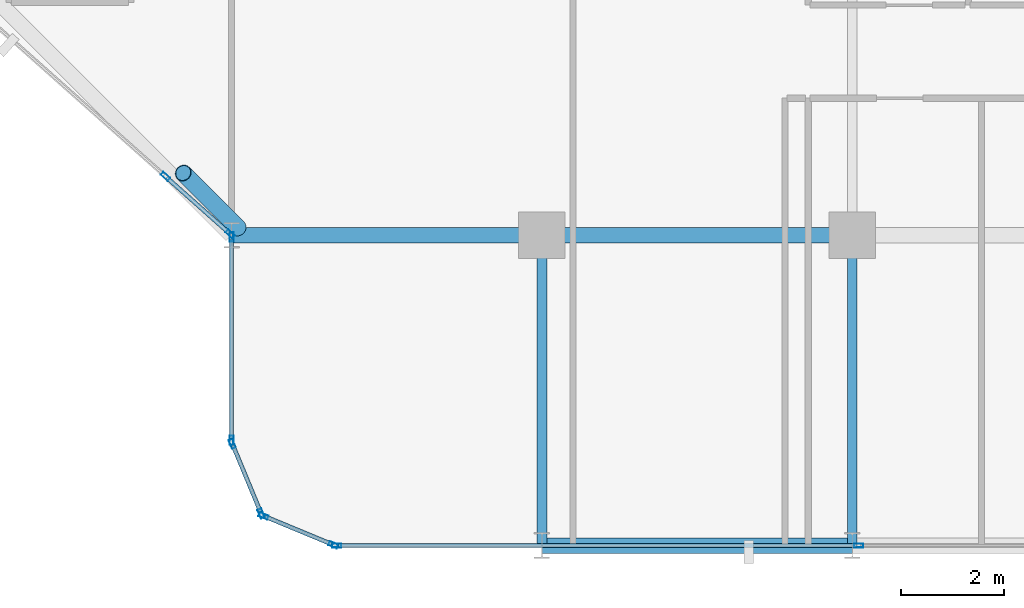
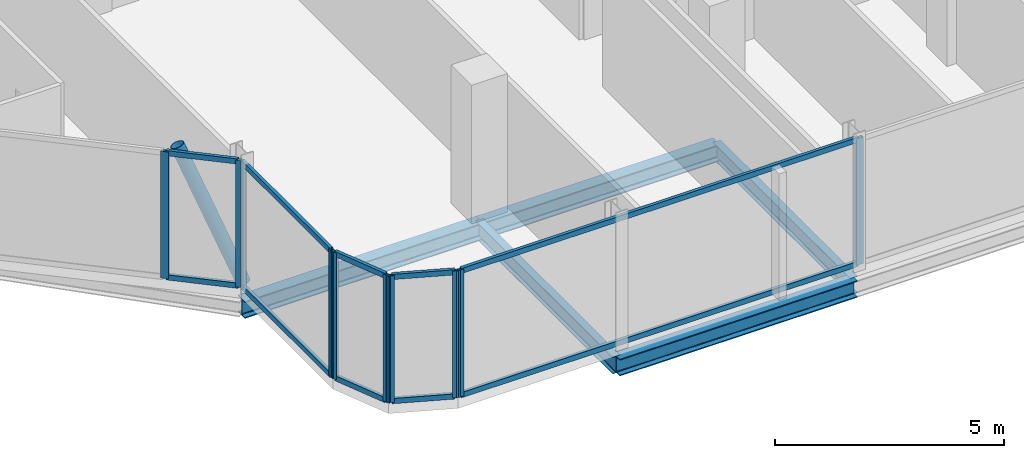
# One storey, part 5 of 31: 21 members, 5 beams, 5 elements without a shape of their own.
"""IFC4 building model written with IfcOpenShell, lengths in metres."""

from ifc_helpers import new_model, si_unit, direction, frame, origin, origin_2d, place, context, subcontext, project, spatial, hollow_rectangle, hollow_circle, i_section, extrude, material, layer, layer_set, material_profile, profile_set, type_object, element, aggregate, save


model = new_model("IFC4")

# Units and contexts
model_context = context("Model", 3, precision=1e-05, world=origin(), true_north=direction((0.0, 1.0)))
body_context = subcontext(model_context, "Body", "Model", "MODEL_VIEW")
ifc_project = project(units=[si_unit("LENGTHUNIT", "METRE"), si_unit("AREAUNIT", "SQUARE_METRE"), si_unit("VOLUMEUNIT", "CUBIC_METRE"), si_unit("PLANEANGLEUNIT", "RADIAN"), si_unit("MASSUNIT", "GRAM", prefix="KILO")], contexts=[model_context])

# Site, building, storey
site_placement = place(None, origin())
site = spatial("IfcSite", under=ifc_project, at=site_placement, CompositionType="ELEMENT")
building_placement = place(site_placement, origin())
building = spatial("IfcBuilding", under=site, at=building_placement, Name="Keshet Zoharim Tower", CompositionType="ELEMENT")
storey_placement = place(building_placement, frame((0.0, 0.0, 133.5)))
storey = spatial("IfcBuildingStorey", under=building, at=storey_placement, Name="L32", CompositionType="ELEMENT", Elevation=133.5)

# Beams
ifc_material_1 = material(Name="Steel S355", Category="steel")
ifc_material_profile_1 = material_profile(ifc_material_1, i_section(OverallWidth=0.18994140625, OverallDepth=0.449951171875, WebThickness=0.009521484375, FlangeThickness=0.0146484375, FilletRadius=0.02099609375, at=origin_2d()), Name="IPE450")
ifc_profile_set_1 = profile_set([ifc_material_profile_1], Name="Steel S355")
beam_type_1 = type_object("IfcBeamType", Name="BM-PRI-IP450", PredefinedType="BEAM", material=ifc_profile_set_1)
for number, where, z_axis, x_axis, name in (
    (1, (27.0, 0.699951171875, -0.5400390625), (0.0, 1.0, 0.0), (-1.0, 0.0, 0.0), "L32 Primary Girder Y-004"),
    (2, (33.0, 0.699951171875, -0.5400390625), (0.0, 1.0, 0.0), (-1.0, 0.0, 0.0), "L32 Primary Girder Y-005"),
):
    element("IfcBeam", number, at=place(storey_placement, frame(where, z_axis=z_axis, x_axis=x_axis)), inside=storey, type_object=beam_type_1, Name=name, PredefinedType="BEAM", context=body_context, shape_type="SweptSolid", body=[
        extrude(i_section(OverallWidth=0.18994140625, OverallDepth=0.449951171875, WebThickness=0.009521484375, FlangeThickness=0.0146484375, FilletRadius=0.02099609375, at=origin_2d()), origin(), (0.0, 0.0, 1.0), 6.0),
    ])
ifc_material_profile_2 = material_profile(ifc_material_1, i_section(OverallWidth=0.300048828125, OverallDepth=0.449951171875, WebThickness=0.013916015625, FlangeThickness=0.02587890625, FilletRadius=0.027099609375, at=origin_2d()), Name="HEB450")
ifc_profile_set_2 = profile_set([ifc_material_profile_2], Name="Steel S355")
beam_type_2 = type_object("IfcBeamType", Name="BM-WEB-HB450", PredefinedType="BEAM", material=ifc_profile_set_2)
for number, where, z_axis, x_axis, name in (
    (3, (27.0, 0.699951171875, -0.5400390625), (1.0, 0.0, 0.0), (0.0, 1.0, 0.0), "L32 Primary Girder X-001"),
    (4, (21.0, 6.699951171875, -0.5400390625), (1.0, 0.0, 0.0), (0.0, 1.0, 0.0), "L32 Primary Girder X-005"),
    (5, (27.0, 6.699951171875, -0.5400390625), (1.0, 0.0, 0.0), (0.0, 1.0, 0.0), "L32 Primary Girder X-006"),
):
    element("IfcBeam", number, at=place(storey_placement, frame(where, z_axis=z_axis, x_axis=x_axis)), inside=storey, type_object=beam_type_2, Name=name, PredefinedType="BEAM", context=body_context, shape_type="SweptSolid", body=[
        extrude(i_section(OverallWidth=0.300048828125, OverallDepth=0.449951171875, WebThickness=0.013916015625, FlangeThickness=0.02587890625, FilletRadius=0.027099609375, at=origin_2d()), origin(), (0.0, 0.0, 1.0), 6.0),
    ])

# Curtain wall, members
ifc_material_2 = material(Name="Aluminium 6063-T6", Category="aluminium")
ifc_layer = layer(ifc_material_2, 0.159912109375)
ifc_layer_set = layer_set([ifc_layer], Name="Aluminium 6063-T6")
curtain_wall_type = type_object("IfcCurtainWallType", Name="CW-SYS-03", PredefinedType="NOTDEFINED", material=ifc_layer_set)
curtain_wall_1_placement = place(storey_placement, origin())
curtain_wall_1 = element("IfcCurtainWall", 6, at=curtain_wall_1_placement, inside=storey, type_object=curtain_wall_type, Name="L32 Unitised Curtain Wall 03 Part 3", PredefinedType="NOTDEFINED")
ifc_material_profile_3 = material_profile(ifc_material_2, hollow_rectangle(XDim=0.080078125, YDim=0.179931640625, WallThickness=0.00439453125, at=origin_2d()), Name="MUL-80x180")
ifc_profile_set_3 = profile_set([ifc_material_profile_3], Name="Aluminium 6063-T6")
member_type_1 = type_object("IfcMemberType", Name="CWM-M18", PredefinedType="MULLION", material=ifc_profile_set_3)
member_1_placement = place(storey_placement, frame((33.1259765625, 0.699951171875, 0.0), z_axis=(0.0, 0.0, 1.0), x_axis=(0.0, -1.0, 0.0)))
member_1 = element("IfcMember", 7, at=member_1_placement, type_object=member_type_1, Name="CW-03 mullion 2", PredefinedType="MULLION", context=body_context, shape_type="SweptSolid", body=[
    extrude(hollow_rectangle(XDim=0.080078125, YDim=0.179931640625, WallThickness=0.00439453125, at=origin_2d()), origin(), (0.0, 0.0, 1.0), 3.385009765625),
])
member_2_placement = place(storey_placement, frame((23.034912109375, 0.699951171875, 0.0), z_axis=(0.0, 0.0, 1.0), x_axis=(0.0, -1.0, 0.0)))
member_2 = element("IfcMember", 8, at=member_2_placement, type_object=member_type_1, Name="CW-03 mullion 3", PredefinedType="MULLION", context=body_context, shape_type="SweptSolid", body=[
    extrude(hollow_rectangle(XDim=0.080078125, YDim=0.179931640625, WallThickness=0.00439453125, at=origin_2d()), origin(), (0.0, 0.0, 1.0), 3.385009765625),
])

curtain_wall_2_placement = place(storey_placement, origin())
curtain_wall_2 = element("IfcCurtainWall", 9, at=curtain_wall_2_placement, inside=storey, type_object=curtain_wall_type, Name="L32 Unitised Curtain Wall 04", PredefinedType="NOTDEFINED")
member_3_placement = place(storey_placement, frame((22.9677734375, 0.71337890625, 0.0), z_axis=(0.0, 0.0, 1.0), x_axis=(-0.382851849847, -0.92380975372, 0.0)))
member_3 = element("IfcMember", 10, at=member_3_placement, type_object=member_type_1, Name="CW-03 mullion 1", PredefinedType="MULLION", context=body_context, shape_type="SweptSolid", body=[
    extrude(hollow_rectangle(XDim=0.080078125, YDim=0.179931640625, WallThickness=0.00439453125, at=origin_2d()), origin(), (0.0, 0.0, 1.0), 3.385009765625),
])
member_4_placement = place(storey_placement, frame((21.618408203125, 1.272705078125, 0.0), z_axis=(0.0, 0.0, 1.0), x_axis=(-0.382851849847, -0.92380975372, 0.0)))
member_4 = element("IfcMember", 11, at=member_4_placement, type_object=member_type_1, Name="CW-03 mullion 2", PredefinedType="MULLION", context=body_context, shape_type="SweptSolid", body=[
    extrude(hollow_rectangle(XDim=0.080078125, YDim=0.179931640625, WallThickness=0.00439453125, at=origin_2d()), origin(), (0.0, 0.0, 1.0), 3.385009765625),
])

curtain_wall_3_placement = place(storey_placement, origin())
curtain_wall_3 = element("IfcCurtainWall", 12, at=curtain_wall_3_placement, inside=storey, type_object=curtain_wall_type, Name="L32 Unitised Curtain Wall 05", PredefinedType="NOTDEFINED")
member_5_placement = place(storey_placement, frame((21.572509765625, 1.318359375, 0.0), z_axis=(0.0, 0.0, 1.0), x_axis=(-0.92380975372, -0.382851849847, 0.0)))
member_5 = element("IfcMember", 13, at=member_5_placement, type_object=member_type_1, Name="CW-03 mullion 1", PredefinedType="MULLION", context=body_context, shape_type="SweptSolid", body=[
    extrude(hollow_rectangle(XDim=0.080078125, YDim=0.179931640625, WallThickness=0.00439453125, at=origin_2d()), origin(), (0.0, 0.0, 1.0), 3.385009765625),
])
member_6_placement = place(storey_placement, frame((21.013427734375, 2.667724609375, 0.0), z_axis=(0.0, 0.0, 1.0), x_axis=(-0.92380975372, -0.382851849847, 0.0)))
member_6 = element("IfcMember", 14, at=member_6_placement, type_object=member_type_1, Name="CW-03 mullion 2", PredefinedType="MULLION", context=body_context, shape_type="SweptSolid", body=[
    extrude(hollow_rectangle(XDim=0.080078125, YDim=0.179931640625, WallThickness=0.00439453125, at=origin_2d()), origin(), (0.0, 0.0, 1.0), 3.385009765625),
])

curtain_wall_4_placement = place(storey_placement, origin())
curtain_wall_4 = element("IfcCurtainWall", 15, at=curtain_wall_4_placement, inside=storey, type_object=curtain_wall_type, Name="L32 Unitised Curtain Wall 06", PredefinedType="NOTDEFINED")
member_7_placement = place(storey_placement, frame((21.0, 2.735107421875, 0.0), z_axis=(0.0, 0.0, 1.0), x_axis=(-1.0, 0.0, 0.0)))
member_7 = element("IfcMember", 16, at=member_7_placement, type_object=member_type_1, Name="CW-03 mullion 1", PredefinedType="MULLION", context=body_context, shape_type="SweptSolid", body=[
    extrude(hollow_rectangle(XDim=0.080078125, YDim=0.179931640625, WallThickness=0.00439453125, at=origin_2d()), origin(), (0.0, 0.0, 1.0), 3.385009765625),
])
member_8_placement = place(storey_placement, frame((21.0, 6.6650390625, 0.0), z_axis=(0.0, 0.0, 1.0), x_axis=(-1.0, 0.0, 0.0)))
member_8 = element("IfcMember", 17, at=member_8_placement, type_object=member_type_1, Name="CW-03 mullion 2", PredefinedType="MULLION", context=body_context, shape_type="SweptSolid", body=[
    extrude(hollow_rectangle(XDim=0.080078125, YDim=0.179931640625, WallThickness=0.00439453125, at=origin_2d()), origin(), (0.0, 0.0, 1.0), 3.385009765625),
])

curtain_wall_5_placement = place(storey_placement, origin())
curtain_wall_5 = element("IfcCurtainWall", 18, at=curtain_wall_5_placement, inside=storey, type_object=curtain_wall_type, Name="L32 Unitised Curtain Wall 07", PredefinedType="NOTDEFINED")
member_9_placement = place(storey_placement, frame((20.973876953125, 6.72314453125, 0.0), z_axis=(0.0, 0.0, 1.0), x_axis=(-0.664367393393, -0.747406159057, 0.0)))
member_9 = element("IfcMember", 19, at=member_9_placement, type_object=member_type_1, Name="CW-03 mullion 1", PredefinedType="MULLION", context=body_context, shape_type="SweptSolid", body=[
    extrude(hollow_rectangle(XDim=0.080078125, YDim=0.179931640625, WallThickness=0.00439453125, at=origin_2d()), origin(), (0.0, 0.0, 1.0), 3.385009765625),
])
member_10_placement = place(storey_placement, frame((19.720947265625, 7.8369140625, 0.0), z_axis=(0.0, 0.0, 1.0), x_axis=(-0.664367393393, -0.747406159057, 0.0)))
member_10 = element("IfcMember", 20, at=member_10_placement, type_object=member_type_1, Name="CW-03 mullion 2", PredefinedType="MULLION", context=body_context, shape_type="SweptSolid", body=[
    extrude(hollow_rectangle(XDim=0.080078125, YDim=0.179931640625, WallThickness=0.00439453125, at=origin_2d()), origin(), (0.0, 0.0, 1.0), 3.385009765625),
])

# Member
ifc_material_profile_4 = material_profile(ifc_material_2, hollow_rectangle(XDim=0.080078125, YDim=0.139892578125, WallThickness=0.00390625, at=origin_2d()), Name="TRN-80x140")
ifc_profile_set_4 = profile_set([ifc_material_profile_4], Name="Aluminium 6063-T6")
member_type_2 = type_object("IfcMemberType", Name="CWT-T14", PredefinedType="USERDEFINED", material=ifc_profile_set_4)
member_11_placement = place(storey_placement, frame((33.091064453125, 0.699951171875, 0.034912109375), z_axis=(-1.0, 0.0, 0.0), x_axis=(0.0, -1.0, 0.0)))
member_11 = element("IfcMember", 21, at=member_11_placement, type_object=member_type_2, Name="CW-03 transom 2.1", ObjectType="TRANSOM", PredefinedType="USERDEFINED", context=body_context, shape_type="SweptSolid", body=[
    extrude(hollow_rectangle(XDim=0.080078125, YDim=0.139892578125, WallThickness=0.00390625, at=origin_2d()), origin(), (0.0, 0.0, 1.0), 10.02099609375),
])

member_12_placement = place(storey_placement, frame((33.091064453125, 0.699951171875, 3.35009765625), z_axis=(-1.0, 0.0, 0.0), x_axis=(0.0, -1.0, 0.0)))
member_12 = element("IfcMember", 22, at=member_12_placement, type_object=member_type_2, Name="CW-03 transom 2.2", ObjectType="TRANSOM", PredefinedType="USERDEFINED", context=body_context, shape_type="SweptSolid", body=[
    extrude(hollow_rectangle(XDim=0.080078125, YDim=0.139892578125, WallThickness=0.00390625, at=origin_2d()), origin(), (0.0, 0.0, 1.0), 10.02099609375),
])

aggregate(curtain_wall_1, [member_1, member_2, member_11, member_12])

member_13_placement = place(storey_placement, frame((22.935302734375, 0.726806640625, 0.034912109375), z_axis=(-0.92379209995, 0.382894445076, 0.0), x_axis=(-0.382894445076, -0.92379209995, 0.0)))
member_13 = element("IfcMember", 23, at=member_13_placement, type_object=member_type_2, Name="CW-03 transom 1.1", ObjectType="TRANSOM", PredefinedType="USERDEFINED", context=body_context, shape_type="SweptSolid", body=[
    extrude(hollow_rectangle(XDim=0.080078125, YDim=0.139892578125, WallThickness=0.00390625, at=origin_2d()), origin(), (0.0, 0.0, 1.0), 1.390625),
])

member_14_placement = place(storey_placement, frame((22.935302734375, 0.726806640625, 3.35009765625), z_axis=(-0.92379209995, 0.382894445076, 0.0), x_axis=(-0.382894445076, -0.92379209995, 0.0)))
member_14 = element("IfcMember", 24, at=member_14_placement, type_object=member_type_2, Name="CW-03 transom 1.2", ObjectType="TRANSOM", PredefinedType="USERDEFINED", context=body_context, shape_type="SweptSolid", body=[
    extrude(hollow_rectangle(XDim=0.080078125, YDim=0.139892578125, WallThickness=0.00390625, at=origin_2d()), origin(), (0.0, 0.0, 1.0), 1.390625),
])

aggregate(curtain_wall_2, [member_3, member_4, member_13, member_14])

member_15_placement = place(storey_placement, frame((21.55908203125, 1.3505859375, 0.034912109375), z_axis=(-0.382744609247, 0.923854189844, 0.0), x_axis=(-0.923854189844, -0.382744609247, 0.0)))
member_15 = element("IfcMember", 25, at=member_15_placement, type_object=member_type_2, Name="CW-03 transom 1.1", ObjectType="TRANSOM", PredefinedType="USERDEFINED", context=body_context, shape_type="SweptSolid", body=[
    extrude(hollow_rectangle(XDim=0.080078125, YDim=0.139892578125, WallThickness=0.00390625, at=origin_2d()), origin(), (0.0, 0.0, 1.0), 1.390625),
])

member_16_placement = place(storey_placement, frame((21.55908203125, 1.3505859375, 3.35009765625), z_axis=(-0.382744609247, 0.923854189844, 0.0), x_axis=(-0.923854189844, -0.382744609247, 0.0)))
member_16 = element("IfcMember", 26, at=member_16_placement, type_object=member_type_2, Name="CW-03 transom 1.2", ObjectType="TRANSOM", PredefinedType="USERDEFINED", context=body_context, shape_type="SweptSolid", body=[
    extrude(hollow_rectangle(XDim=0.080078125, YDim=0.139892578125, WallThickness=0.00390625, at=origin_2d()), origin(), (0.0, 0.0, 1.0), 1.390625),
])

aggregate(curtain_wall_3, [member_5, member_6, member_15, member_16])

member_17_placement = place(storey_placement, frame((21.0, 2.77001953125, 0.034912109375), z_axis=(0.0, 1.0, 0.0), x_axis=(-1.0, 0.0, 0.0)))
member_17 = element("IfcMember", 27, at=member_17_placement, type_object=member_type_2, Name="CW-03 transom 1.1", ObjectType="TRANSOM", PredefinedType="USERDEFINED", context=body_context, shape_type="SweptSolid", body=[
    extrude(hollow_rectangle(XDim=0.080078125, YDim=0.139892578125, WallThickness=0.00390625, at=origin_2d()), origin(), (0.0, 0.0, 1.0), 3.85986328125),
])

member_18_placement = place(storey_placement, frame((21.0, 2.77001953125, 3.35009765625), z_axis=(0.0, 1.0, 0.0), x_axis=(-1.0, 0.0, 0.0)))
member_18 = element("IfcMember", 28, at=member_18_placement, type_object=member_type_2, Name="CW-03 transom 1.2", ObjectType="TRANSOM", PredefinedType="USERDEFINED", context=body_context, shape_type="SweptSolid", body=[
    extrude(hollow_rectangle(XDim=0.080078125, YDim=0.139892578125, WallThickness=0.00390625, at=origin_2d()), origin(), (0.0, 0.0, 1.0), 3.85986328125),
])

aggregate(curtain_wall_4, [member_7, member_8, member_17, member_18])

member_19_placement = place(storey_placement, frame((20.94775390625, 6.74658203125, 0.034912109375), z_axis=(-0.747459638873, 0.664307224299, 0.0), x_axis=(-0.664307224299, -0.747459638873, 0.0)))
member_19 = element("IfcMember", 29, at=member_19_placement, type_object=member_type_2, Name="CW-03 transom 1.1", ObjectType="TRANSOM", PredefinedType="USERDEFINED", context=body_context, shape_type="SweptSolid", body=[
    extrude(hollow_rectangle(XDim=0.080078125, YDim=0.139892578125, WallThickness=0.00390625, at=origin_2d()), origin(), (0.0, 0.0, 1.0), 1.60595703125),
])

member_20_placement = place(storey_placement, frame((20.94775390625, 6.74658203125, 3.35009765625), z_axis=(-0.747459638873, 0.664307224299, 0.0), x_axis=(-0.664307224299, -0.747459638873, 0.0)))
member_20 = element("IfcMember", 30, at=member_20_placement, type_object=member_type_2, Name="CW-03 transom 1.2", ObjectType="TRANSOM", PredefinedType="USERDEFINED", context=body_context, shape_type="SweptSolid", body=[
    extrude(hollow_rectangle(XDim=0.080078125, YDim=0.139892578125, WallThickness=0.00390625, at=origin_2d()), origin(), (0.0, 0.0, 1.0), 1.60595703125),
])

aggregate(curtain_wall_5, [member_9, member_10, member_19, member_20])

ifc_material_profile_5 = material_profile(ifc_material_1, hollow_circle(Radius=0.161865234375, WallThickness=0.012451171875, at=origin_2d()), Name="CHS323x12.5")
ifc_profile_set_5 = profile_set([ifc_material_profile_5], Name="Steel S355")
member_type_3 = type_object("IfcMemberType", Name="MB-BR-C323", PredefinedType="BRACE", material=ifc_profile_set_5)
member_21_placement = place(storey_placement, frame((21.1259765625, 6.842041015625, 0.0), z_axis=(-0.286558246199, 0.286558246199, 0.914203884848), x_axis=(-0.707106781187, -0.707106781187, 0.0)))
element("IfcMember", 31, at=member_21_placement, inside=storey, type_object=member_type_3, Name="L32 Perimeter Tube Brace 01", PredefinedType="BRACE", context=body_context, shape_type="SweptSolid", body=[
    extrude(hollow_circle(Radius=0.161865234375, WallThickness=0.012451171875, at=origin_2d()), origin(), (0.0, 0.0, 1.0), 3.70263671875),
])

save(model, "model.ifc")
